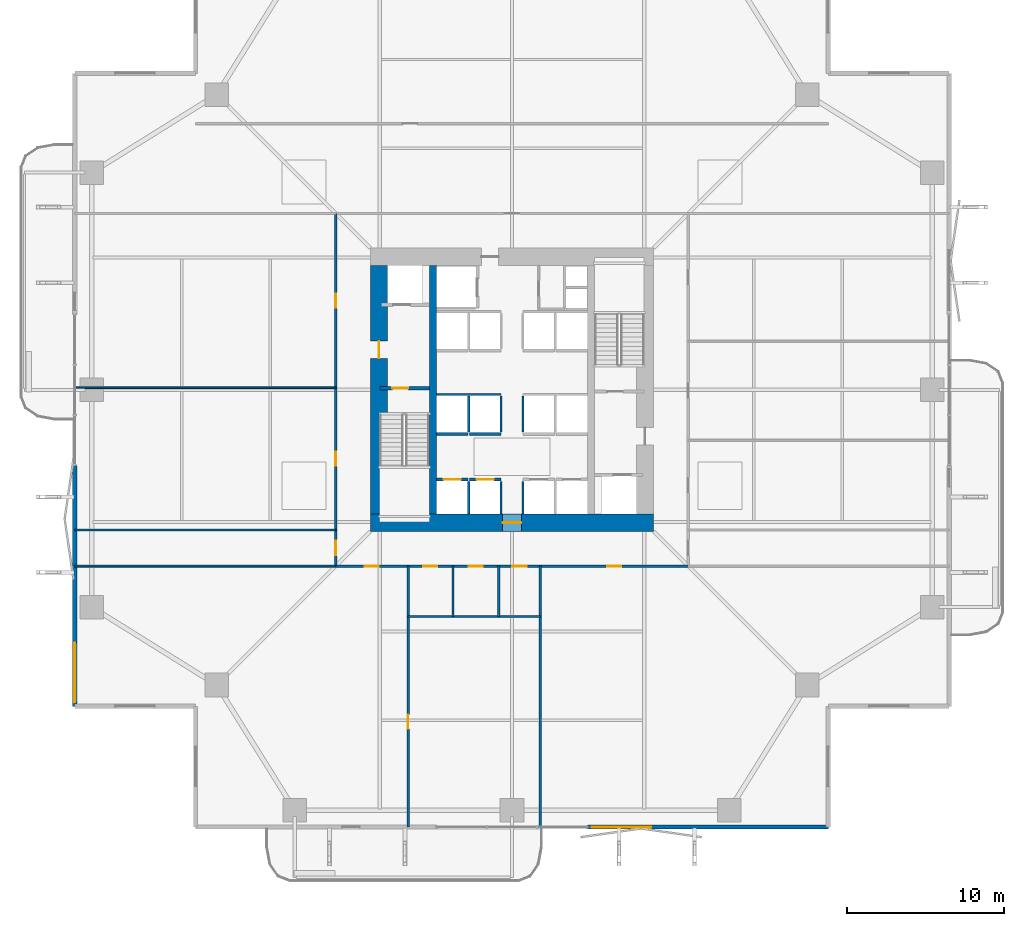
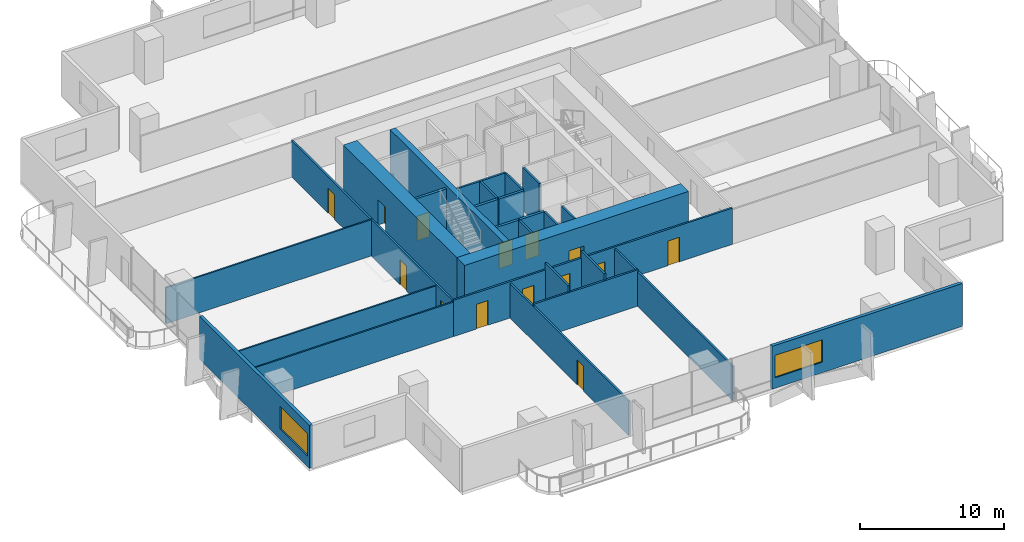
# One storey, part 17 of 23: 27 walls, 14 doors, 2 windows, 16 openings.
"""IFC4 building model written with IfcOpenShell, lengths in metres."""

from ifc_helpers import new_model, si_unit, direction, frame, frame_2d, origin, place, context, subcontext, project, spatial, rectangle, extrude, material, layer, layer_set, type_object, element, fill, save


model = new_model("IFC4")

# Units and contexts
model_context = context("Model", 3, precision=1e-05, world=origin(), true_north=direction((0.0, 1.0)))
body_context = subcontext(model_context, "Body", "Model", "MODEL_VIEW")
ifc_project = project(units=[si_unit("LENGTHUNIT", "METRE"), si_unit("AREAUNIT", "SQUARE_METRE"), si_unit("VOLUMEUNIT", "CUBIC_METRE"), si_unit("PLANEANGLEUNIT", "RADIAN"), si_unit("MASSUNIT", "GRAM", prefix="KILO")], contexts=[model_context])

# Site, building, storey
site_placement = place(None, origin())
site = spatial("IfcSite", under=ifc_project, at=site_placement, CompositionType="ELEMENT")
building_placement = place(site_placement, origin())
building = spatial("IfcBuilding", under=site, at=building_placement, Name="Belovzor Exchange Tower", CompositionType="ELEMENT")
storey_placement = place(building_placement, frame((0.0, 0.0, 65.10009765625)))
storey = spatial("IfcBuildingStorey", under=building, at=storey_placement, Name="L15", CompositionType="ELEMENT", Elevation=65.10009765625)

# Walls
ifc_material_1 = material(Name="Acoustic Plasterboard on Galvanised Studs", Category="gypsum")
ifc_layer_1 = layer(ifc_material_1, 0.1201171875)
ifc_layer_set_1 = layer_set([ifc_layer_1], Name="Acoustic Plasterboard on Galvanised Studs")
wall_type_1 = type_object("IfcWallType", Name="Acoustic Double-Stud Partition Wall 120", PredefinedType="PARTITIONING", material=ifc_layer_set_1)
for number, where, z_axis, x_axis, name in (
    (1, (1.030029296875, 17.60009765625, 0.0), (0.0, 0.0, 1.0), (1.0, 0.0, 0.0), "W-P120 Partition Wall W-L15-END-SW"),
    (2, (1.030029296875, 19.89990234375, 0.0), (0.0, 0.0, 1.0), (1.0, 0.0, 0.0), "W-P120 Partition Wall W-L15-WDIV-1"),
):
    element("IfcWall", number, at=place(storey_placement, frame(where, z_axis=z_axis, x_axis=x_axis)), inside=storey, type_object=wall_type_1, Name=name, PredefinedType="PARTITIONING", context=body_context, shape_type="SweptSolid", body=[
        extrude(rectangle(XDim=16.570068359375, YDim=0.1201171875, at=frame_2d((8.28515625, 0.0))), origin(), (0.0, 0.0, 1.0), 2.934814453125),
    ])
wall_1_placement = place(storey_placement, frame((1.030029296875, 28.929931640625, 0.0), z_axis=(0.0, 0.0, 1.0), x_axis=(1.0, 0.0, 0.0)))
element("IfcWall", 3, at=wall_1_placement, inside=storey, type_object=wall_type_1, Name="W-P120 Partition Wall W-L15-WDIV-2", PredefinedType="PARTITIONING", context=body_context, shape_type="SweptSolid", body=[
    extrude(rectangle(XDim=16.570068359375, YDim=0.1201171875, at=frame_2d((8.28515625, 0.0))), origin(), (0.0, 0.0, 1.0), 3.0849609375),
])
ifc_material_2 = material(Name="Fire-Rated Gypsum Block and Mineral Wool", Category="gypsum")
ifc_layer_2 = layer(ifc_material_2, 0.14990234375)
ifc_layer_set_2 = layer_set([ifc_layer_2], Name="Fire-Rated Gypsum Block and Mineral Wool")
wall_type_2 = type_object("IfcWallType", Name="Fire-Rated Gypsum Block Corridor Wall 150", PredefinedType="PARTITIONING", material=ifc_layer_set_2)
wall_2_placement = place(storey_placement, frame((22.199951171875, 14.39990234375, 0.0), z_axis=(0.0, 0.0, 1.0), x_axis=(1.0, 0.0, 0.0)))
element("IfcWall", 4, at=wall_2_placement, inside=storey, type_object=wall_type_2, Name="W-P150 Partition Wall W-L15-WCS", PredefinedType="PARTITIONING", context=body_context, shape_type="SweptSolid", body=[
    extrude(rectangle(XDim=8.400146484375, YDim=0.14990234375, at=frame_2d((4.2001953125, 0.0))), origin(), (0.0, 0.0, 1.0), 3.0849609375),
])

# Wall, opening, door
wall_3_placement = place(storey_placement, frame((22.199951171875, 1.030029296875, 0.0), z_axis=(0.0, 0.0, 1.0), x_axis=(0.0, 1.0, 0.0)))
wall_3 = element("IfcWall", 5, at=wall_3_placement, inside=storey, type_object=wall_type_2, Name="W-P150 Partition Wall W-L15-WCW", PredefinedType="PARTITIONING", context=body_context, shape_type="SweptSolid", body=[
    extrude(rectangle(XDim=16.570068359375, YDim=0.14990234375, at=frame_2d((8.28515625, 0.0))), origin(), (0.0, 0.0, 1.0), 2.934814453125),
])
opening_1_placement = place(wall_3_placement, frame((6.235107421875, 0.0, 0.0)))
opening_1 = element("IfcOpeningElement", 6, at=opening_1_placement, cuts=wall_3, Name="Opening D-INT-090", PredefinedType="OPENING", context=body_context, shape_type="SweptSolid", body=[
    extrude(rectangle(XDim=0.89990234375, YDim=2.10009765625, at=frame_2d((0.449951171875, 1.050048828125))), frame((0.0, 0.0849609375, 0.0), z_axis=(0.0, -1.0, 0.0), x_axis=(1.0, 0.0, 0.0)), (0.0, 0.0, 1.0), 0.169921875),
])
ifc_material_3 = material(Name="Veneered Hardwood Acoustic Leaf", Category="wood")
door_type_1 = type_object("IfcDoorType", Name="Trading Suite Acoustic Single Door 900x2100", OperationType="NOTDEFINED", PredefinedType="DOOR", material=ifc_material_3)
door_1_placement = place(opening_1_placement, origin())
door_1 = element("IfcDoor", 7, at=door_1_placement, inside=storey, type_object=door_type_1, Name="D-INT-090 Trading Suite Acoustic Single Door 900x2100", OperationType="SINGLE_SWING_LEFT", OverallHeight=2.10009765625, OverallWidth=0.89990234375, PredefinedType="DOOR", context=body_context, shape_type="SweptSolid", body=[
    extrude(rectangle(XDim=0.89990234375, YDim=2.10009765625, at=frame_2d((0.449951171875, 1.050048828125))), frame((0.0, 0.02490234375, 0.0), z_axis=(0.0, -1.0, 0.0), x_axis=(1.0, 0.0, 0.0)), (0.0, 0.0, 1.0), 0.050048828125),
])
fill(opening_1, door_1)

# Walls
wall_4_placement = place(storey_placement, frame((30.60009765625, 1.030029296875, 0.0), z_axis=(0.0, 0.0, 1.0), x_axis=(0.0, 1.0, 0.0)))
element("IfcWall", 8, at=wall_4_placement, inside=storey, type_object=wall_type_2, Name="W-P150 Partition Wall W-L15-WCE", PredefinedType="PARTITIONING", context=body_context, shape_type="SweptSolid", body=[
    extrude(rectangle(XDim=16.570068359375, YDim=0.14990234375, at=frame_2d((8.28515625, 0.0))), origin(), (0.0, 0.0, 1.0), 2.934814453125),
])
for number, where, z_axis, x_axis, name in (
    (9, (25.050048828125, 14.39990234375, 0.0), (0.0, 0.0, 1.0), (0.0, 1.0, 0.0), "W-P150 Partition Wall W-L15-WCD1"),
    (10, (27.949951171875, 14.39990234375, 0.0), (0.0, 0.0, 1.0), (0.0, 1.0, 0.0), "W-P150 Partition Wall W-L15-WCD2"),
):
    element("IfcWall", number, at=place(storey_placement, frame(where, z_axis=z_axis, x_axis=x_axis)), inside=storey, type_object=wall_type_2, Name=name, PredefinedType="PARTITIONING", context=body_context, shape_type="SweptSolid", body=[
        extrude(rectangle(XDim=3.2001953125, YDim=0.14990234375, at=frame_2d((1.60009765625, 0.0))), origin(), (0.0, 0.0, 1.0), 3.64990234375),
    ])

# Wall, openings, doors
wall_5_placement = place(storey_placement, frame((17.60009765625, 17.60009765625, 0.0), z_axis=(0.0, 0.0, 1.0), x_axis=(1.0, 0.0, 0.0)))
wall_5 = element("IfcWall", 11, at=wall_5_placement, inside=storey, type_object=wall_type_2, Name="W-P150 Partition Wall W-L15-CS", PredefinedType="PARTITIONING", context=body_context, shape_type="SweptSolid", body=[
    extrude(rectangle(XDim=22.39990234375, YDim=0.14990234375, at=frame_2d((11.199951171875, 0.0))), origin(), (0.0, 0.0, 1.0), 3.0849609375),
])
opening_2_placement = place(wall_5_placement, frame((1.85009765625, 0.0, 0.0)))
opening_2 = element("IfcOpeningElement", 12, at=opening_2_placement, cuts=wall_5, Name="Opening D-INT-090", PredefinedType="OPENING", context=body_context, shape_type="SweptSolid", body=[
    extrude(rectangle(XDim=0.89990234375, YDim=2.10009765625, at=frame_2d((0.449951171875, 1.050048828125))), frame((0.0, 0.0849609375, 0.0), z_axis=(0.0, -1.0, 0.0), x_axis=(1.0, 0.0, 0.0)), (0.0, 0.0, 1.0), 0.169921875),
])
opening_3_placement = place(wall_5_placement, frame((5.550048828125, 0.0, 0.0)))
opening_3 = element("IfcOpeningElement", 13, at=opening_3_placement, cuts=wall_5, Name="Opening D-FD60-090", PredefinedType="OPENING", context=body_context, shape_type="SweptSolid", body=[
    extrude(rectangle(XDim=0.89990234375, YDim=2.10009765625, at=frame_2d((0.449951171875, 1.050048828125))), frame((0.0, 0.0849609375, 0.0), z_axis=(0.0, -1.0, 0.0), x_axis=(1.0, 0.0, 0.0)), (0.0, 0.0, 1.0), 0.169921875),
])
opening_4_placement = place(wall_5_placement, frame((8.449951171875, 0.0, 0.0)))
opening_4 = element("IfcOpeningElement", 14, at=opening_4_placement, cuts=wall_5, Name="Opening D-FD60-090", PredefinedType="OPENING", context=body_context, shape_type="SweptSolid", body=[
    extrude(rectangle(XDim=0.89990234375, YDim=2.10009765625, at=frame_2d((0.449951171875, 1.050048828125))), frame((0.0, 0.0849609375, 0.0), z_axis=(0.0, -1.0, 0.0), x_axis=(1.0, 0.0, 0.0)), (0.0, 0.0, 1.0), 0.169921875),
])
opening_5_placement = place(wall_5_placement, frame((11.199951171875, 0.0, 0.0)))
opening_5 = element("IfcOpeningElement", 15, at=opening_5_placement, cuts=wall_5, Name="Opening D-FD60-095", PredefinedType="OPENING", context=body_context, shape_type="SweptSolid", body=[
    extrude(rectangle(XDim=0.949951171875, YDim=2.10009765625, at=frame_2d((0.47509765625, 1.050048828125))), frame((0.0, 0.0849609375, 0.0), z_axis=(0.0, -1.0, 0.0), x_axis=(1.0, 0.0, 0.0)), (0.0, 0.0, 1.0), 0.169921875),
])
opening_6_placement = place(wall_5_placement, frame((17.25, 0.0, 0.0)))
opening_6 = element("IfcOpeningElement", 16, at=opening_6_placement, cuts=wall_5, Name="Opening D-INT-090", PredefinedType="OPENING", context=body_context, shape_type="SweptSolid", body=[
    extrude(rectangle(XDim=0.89990234375, YDim=2.10009765625, at=frame_2d((0.449951171875, 1.050048828125))), frame((0.0, 0.0849609375, 0.0), z_axis=(0.0, -1.0, 0.0), x_axis=(1.0, 0.0, 0.0)), (0.0, 0.0, 1.0), 0.169921875),
])
ifc_material_4 = material(Name="Moisture-Resistant Timber Fire Leaf", Category="wood")
door_type_2 = type_object("IfcDoorType", Name="Accessible Restroom Wide Fire Door 950x2100", OperationType="NOTDEFINED", PredefinedType="DOOR", material=ifc_material_4)
door_2_placement = place(opening_5_placement, origin())
door_2 = element("IfcDoor", 17, at=door_2_placement, inside=storey, type_object=door_type_2, Name="D-FD60-095 Accessible Restroom Wide Fire Door 950x2100", OperationType="SINGLE_SWING_LEFT", OverallHeight=2.10009765625, OverallWidth=0.949951171875, PredefinedType="DOOR", context=body_context, shape_type="SweptSolid", body=[
    extrude(rectangle(XDim=0.949951171875, YDim=2.10009765625, at=frame_2d((0.47509765625, 1.050048828125))), frame((0.0, 0.02490234375, 0.0), z_axis=(0.0, -1.0, 0.0), x_axis=(1.0, 0.0, 0.0)), (0.0, 0.0, 1.0), 0.050048828125),
])
fill(opening_5, door_2)
ifc_material_5 = material(Name="Acoustic Timber Fire Leaf", Category="wood")
door_type_3 = type_object("IfcDoorType", Name="Core Service & Restroom Fire Door 900x2100", OperationType="NOTDEFINED", PredefinedType="DOOR", material=ifc_material_5)
door_3_placement = place(opening_3_placement, origin())
door_3 = element("IfcDoor", 18, at=door_3_placement, inside=storey, type_object=door_type_3, Name="D-FD60-090 Core Service & Restroom Fire Door 900x2100", OperationType="SINGLE_SWING_LEFT", OverallHeight=2.10009765625, OverallWidth=0.89990234375, PredefinedType="DOOR", context=body_context, shape_type="SweptSolid", body=[
    extrude(rectangle(XDim=0.89990234375, YDim=2.10009765625, at=frame_2d((0.449951171875, 1.050048828125))), frame((0.0, 0.02490234375, 0.0), z_axis=(0.0, -1.0, 0.0), x_axis=(1.0, 0.0, 0.0)), (0.0, 0.0, 1.0), 0.050048828125),
])
fill(opening_3, door_3)
door_4_placement = place(opening_4_placement, origin())
door_4 = element("IfcDoor", 19, at=door_4_placement, inside=storey, type_object=door_type_3, Name="D-FD60-090 Core Service & Restroom Fire Door 900x2100", OperationType="SINGLE_SWING_RIGHT", OverallHeight=2.10009765625, OverallWidth=0.89990234375, PredefinedType="DOOR", context=body_context, shape_type="SweptSolid", body=[
    extrude(rectangle(XDim=0.89990234375, YDim=2.10009765625, at=frame_2d((0.449951171875, 1.050048828125))), frame((0.0, 0.02490234375, 0.0), z_axis=(0.0, -1.0, 0.0), x_axis=(1.0, 0.0, 0.0)), (0.0, 0.0, 1.0), 0.050048828125),
])
fill(opening_4, door_4)
door_5_placement = place(opening_2_placement, origin())
door_5 = element("IfcDoor", 20, at=door_5_placement, inside=storey, type_object=door_type_1, Name="D-INT-090 Trading Suite Acoustic Single Door 900x2100", OperationType="SINGLE_SWING_LEFT", OverallHeight=2.10009765625, OverallWidth=0.89990234375, PredefinedType="DOOR", context=body_context, shape_type="SweptSolid", body=[
    extrude(rectangle(XDim=0.89990234375, YDim=2.10009765625, at=frame_2d((0.449951171875, 1.050048828125))), frame((0.0, 0.02490234375, 0.0), z_axis=(0.0, -1.0, 0.0), x_axis=(1.0, 0.0, 0.0)), (0.0, 0.0, 1.0), 0.050048828125),
])
fill(opening_2, door_5)
door_6_placement = place(opening_6_placement, origin())
door_6 = element("IfcDoor", 21, at=door_6_placement, inside=storey, type_object=door_type_1, Name="D-INT-090 Trading Suite Acoustic Single Door 900x2100", OperationType="SINGLE_SWING_RIGHT", OverallHeight=2.10009765625, OverallWidth=0.89990234375, PredefinedType="DOOR", context=body_context, shape_type="SweptSolid", body=[
    extrude(rectangle(XDim=0.89990234375, YDim=2.10009765625, at=frame_2d((0.449951171875, 1.050048828125))), frame((0.0, 0.02490234375, 0.0), z_axis=(0.0, -1.0, 0.0), x_axis=(1.0, 0.0, 0.0)), (0.0, 0.0, 1.0), 0.050048828125),
])
fill(opening_6, door_6)

wall_6_placement = place(storey_placement, frame((17.60009765625, 17.60009765625, 0.0), z_axis=(0.0, 0.0, 1.0), x_axis=(0.0, 1.0, 0.0)))
wall_6 = element("IfcWall", 22, at=wall_6_placement, inside=storey, type_object=wall_type_2, Name="W-P150 Partition Wall W-L15-CW", PredefinedType="PARTITIONING", context=body_context, shape_type="SweptSolid", body=[
    extrude(rectangle(XDim=22.39990234375, YDim=0.14990234375, at=frame_2d((11.199951171875, 0.0))), origin(), (0.0, 0.0, 1.0), 3.0849609375),
])
opening_7_placement = place(wall_6_placement, frame((0.699951171875, 0.0, 0.0)))
opening_7 = element("IfcOpeningElement", 23, at=opening_7_placement, cuts=wall_6, Name="Opening D-INT-090", PredefinedType="OPENING", context=body_context, shape_type="SweptSolid", body=[
    extrude(rectangle(XDim=0.89990234375, YDim=2.10009765625, at=frame_2d((0.449951171875, 1.050048828125))), frame((0.0, 0.0849609375, 0.0), z_axis=(0.0, -1.0, 0.0), x_axis=(1.0, 0.0, 0.0)), (0.0, 0.0, 1.0), 0.169921875),
])
opening_8_placement = place(wall_6_placement, frame((6.364990234375, 0.0, 0.0)))
opening_8 = element("IfcOpeningElement", 24, at=opening_8_placement, cuts=wall_6, Name="Opening D-INT-090", PredefinedType="OPENING", context=body_context, shape_type="SweptSolid", body=[
    extrude(rectangle(XDim=0.89990234375, YDim=2.10009765625, at=frame_2d((0.449951171875, 1.050048828125))), frame((0.0, 0.0849609375, 0.0), z_axis=(0.0, -1.0, 0.0), x_axis=(1.0, 0.0, 0.0)), (0.0, 0.0, 1.0), 0.169921875),
])
opening_9_placement = place(wall_6_placement, frame((16.4150390625, 0.0, 0.0)))
opening_9 = element("IfcOpeningElement", 25, at=opening_9_placement, cuts=wall_6, Name="Opening D-INT-090", PredefinedType="OPENING", context=body_context, shape_type="SweptSolid", body=[
    extrude(rectangle(XDim=0.89990234375, YDim=2.10009765625, at=frame_2d((0.449951171875, 1.050048828125))), frame((0.0, 0.0849609375, 0.0), z_axis=(0.0, -1.0, 0.0), x_axis=(1.0, 0.0, 0.0)), (0.0, 0.0, 1.0), 0.169921875),
])
door_7_placement = place(opening_7_placement, origin())
door_7 = element("IfcDoor", 26, at=door_7_placement, inside=storey, type_object=door_type_1, Name="D-INT-090 Trading Suite Acoustic Single Door 900x2100", OperationType="SINGLE_SWING_LEFT", OverallHeight=2.10009765625, OverallWidth=0.89990234375, PredefinedType="DOOR", context=body_context, shape_type="SweptSolid", body=[
    extrude(rectangle(XDim=0.89990234375, YDim=2.10009765625, at=frame_2d((0.449951171875, 1.050048828125))), frame((0.0, 0.02490234375, 0.0), z_axis=(0.0, -1.0, 0.0), x_axis=(1.0, 0.0, 0.0)), (0.0, 0.0, 1.0), 0.050048828125),
])
fill(opening_7, door_7)
door_8_placement = place(opening_8_placement, origin())
door_8 = element("IfcDoor", 27, at=door_8_placement, inside=storey, type_object=door_type_1, Name="D-INT-090 Trading Suite Acoustic Single Door 900x2100", OperationType="SINGLE_SWING_RIGHT", OverallHeight=2.10009765625, OverallWidth=0.89990234375, PredefinedType="DOOR", context=body_context, shape_type="SweptSolid", body=[
    extrude(rectangle(XDim=0.89990234375, YDim=2.10009765625, at=frame_2d((0.449951171875, 1.050048828125))), frame((0.0, 0.02490234375, 0.0), z_axis=(0.0, -1.0, 0.0), x_axis=(1.0, 0.0, 0.0)), (0.0, 0.0, 1.0), 0.050048828125),
])
fill(opening_8, door_8)
door_9_placement = place(opening_9_placement, origin())
door_9 = element("IfcDoor", 28, at=door_9_placement, inside=storey, type_object=door_type_1, Name="D-INT-090 Trading Suite Acoustic Single Door 900x2100", OperationType="SINGLE_SWING_LEFT", OverallHeight=2.10009765625, OverallWidth=0.89990234375, PredefinedType="DOOR", context=body_context, shape_type="SweptSolid", body=[
    extrude(rectangle(XDim=0.89990234375, YDim=2.10009765625, at=frame_2d((0.449951171875, 1.050048828125))), frame((0.0, 0.02490234375, 0.0), z_axis=(0.0, -1.0, 0.0), x_axis=(1.0, 0.0, 0.0)), (0.0, 0.0, 1.0), 0.050048828125),
])
fill(opening_9, door_9)

# Wall, opening, window
ifc_material_6 = material(Name="Precast concrete C40/50", Category="concrete")
ifc_layer_3 = layer(ifc_material_6, 0.260009765625)
ifc_layer_set_3 = layer_set([ifc_layer_3], Name="Precast concrete C40/50")
wall_type_3 = type_object("IfcWallType", Name="Precast Concrete Perimeter Loggia Frame Wall 260", PredefinedType="SOLIDWALL", material=ifc_layer_set_3)
wall_7_placement = place(storey_placement, frame((48.89990234375, 1.030029296875, 0.0), z_axis=(0.0, 0.0, 1.0), x_axis=(-1.0, 0.0, 0.0)))
wall_7 = element("IfcWall", 29, at=wall_7_placement, inside=storey, type_object=wall_type_3, Name="W-EXT260 Precast Concrete Perimeter Loggia Frame Wall 260 L15", PredefinedType="SOLIDWALL", context=body_context, shape_type="SweptSolid", body=[
    extrude(rectangle(XDim=15.2998046875, YDim=0.260009765625, at=frame_2d((7.64990234375, 0.0))), origin(), (0.0, 0.0, 1.0), 3.64990234375),
])
opening_10_placement = place(wall_7_placement, frame((11.25, 0.0, 0.89990234375)))
opening_10 = element("IfcOpeningElement", 30, at=opening_10_placement, cuts=wall_7, Name="Opening WN-RIB380", PredefinedType="OPENING", context=body_context, shape_type="SweptSolid", body=[
    extrude(rectangle(XDim=3.800048828125, YDim=1.89990234375, at=frame_2d((1.89990234375, 0.949951171875))), frame((0.0, 0.139892578125, 0.0), z_axis=(0.0, -1.0, 0.0), x_axis=(1.0, 0.0, 0.0)), (0.0, 0.0, 1.0), 0.280029296875),
])
ifc_material_7 = material(Name="Thermally Broken Aluminium and Triple Glazing", Category="aluminium")
window_type = type_object("IfcWindowType", Name="Streamline Moderne Horizontal Ribbon Window 3800x1900", PartitioningType="SINGLE_PANEL", PredefinedType="WINDOW", material=ifc_material_7)
window_1_placement = place(opening_10_placement, origin())
window_1 = element("IfcWindow", 31, at=window_1_placement, inside=storey, type_object=window_type, Name="WN-RIB380 Streamline Moderne Horizontal Ribbon Window 3800x1900", OverallHeight=1.89990234375, OverallWidth=3.800048828125, PartitioningType="SINGLE_PANEL", PredefinedType="WINDOW", context=body_context, shape_type="SweptSolid", body=[
    extrude(rectangle(XDim=3.800048828125, YDim=1.89990234375, at=frame_2d((1.89990234375, 0.949951171875))), frame((0.0, 0.030029296875, 0.0), z_axis=(0.0, -1.0, 0.0), x_axis=(1.0, 0.0, 0.0)), (0.0, 0.0, 1.0), 0.06005859375),
])
fill(opening_10, window_1)

wall_8_placement = place(storey_placement, frame((1.030029296875, 8.699951171875, 0.0), z_axis=(0.0, 0.0, 1.0), x_axis=(0.0, 1.0, 0.0)))
wall_8 = element("IfcWall", 32, at=wall_8_placement, inside=storey, type_object=wall_type_3, Name="W-EXT260 Precast Concrete Perimeter Loggia Frame Wall 260 L15", PredefinedType="SOLIDWALL", context=body_context, shape_type="SweptSolid", body=[
    extrude(rectangle(XDim=15.300048828125, YDim=0.260009765625, at=frame_2d((7.64990234375, 0.0))), origin(), (0.0, 0.0, 1.0), 3.64990234375),
])
opening_11_placement = place(wall_8_placement, frame((0.25, 0.0, 0.89990234375)))
opening_11 = element("IfcOpeningElement", 33, at=opening_11_placement, cuts=wall_8, Name="Opening WN-RIB380", PredefinedType="OPENING", context=body_context, shape_type="SweptSolid", body=[
    extrude(rectangle(XDim=3.800048828125, YDim=1.89990234375, at=frame_2d((1.89990234375, 0.949951171875))), frame((0.0, 0.139892578125, 0.0), z_axis=(0.0, -1.0, 0.0), x_axis=(1.0, 0.0, 0.0)), (0.0, 0.0, 1.0), 0.280029296875),
])
window_2_placement = place(opening_11_placement, origin())
window_2 = element("IfcWindow", 34, at=window_2_placement, inside=storey, type_object=window_type, Name="WN-RIB380 Streamline Moderne Horizontal Ribbon Window 3800x1900", OverallHeight=1.89990234375, OverallWidth=3.800048828125, PartitioningType="SINGLE_PANEL", PredefinedType="WINDOW", context=body_context, shape_type="SweptSolid", body=[
    extrude(rectangle(XDim=3.800048828125, YDim=1.89990234375, at=frame_2d((1.89990234375, 0.949951171875))), frame((0.0, 0.030029296875, 0.0), z_axis=(0.0, -1.0, 0.0), x_axis=(1.0, 0.0, 0.0)), (0.0, 0.0, 1.0), 0.06005859375),
])
fill(opening_11, window_2)

# Walls
ifc_material_8 = material(Name="Concrete C50/60", Category="concrete")
ifc_layer_4 = layer(ifc_material_8, 0.449951171875)
ifc_layer_set_4 = layer_set([ifc_layer_4], Name="Concrete C50/60")
wall_type_4 = type_object("IfcWallType", Name="Reinforced Concrete Core Internal Web Wall 450", PredefinedType="SHEAR", material=ifc_layer_set_4)
wall_9_placement = place(storey_placement, frame((23.77490234375, 20.89990234375, 0.0), z_axis=(0.0, 0.0, 1.0), x_axis=(0.0, 1.0, 0.0)))
element("IfcWall", 35, at=wall_9_placement, inside=storey, type_object=wall_type_4, Name="CW-W045 Core Internal Web Wall L15 WL", PredefinedType="SHEAR", context=body_context, shape_type="SweptSolid", body=[
    extrude(rectangle(XDim=15.800048828125, YDim=0.449951171875, at=frame_2d((7.89990234375, 0.0))), origin(), (0.0, 0.0, 1.0), 3.89990234375),
])
ifc_material_9 = material(Name="Concrete C50/60", Category="concrete")
ifc_layer_5 = layer(ifc_material_9, 0.14990234375)
ifc_layer_set_5 = layer_set([ifc_layer_5], Name="Concrete C50/60")
wall_type_5 = type_object("IfcWallType", Name="Reinforced Concrete Core Riser Shear Wall 150", PredefinedType="SHEAR", material=ifc_layer_set_5)
for number, where, z_axis, x_axis, name in (
    (36, (26.050048828125, 20.919921875, 0.0), (0.0, 0.0, 1.0), (0.0, 1.0, 0.0), "W-C150S Core Shaft Wall W-SHD-L15-PLL-1"),
    (37, (28.10009765625, 20.919921875, 0.0), (0.0, 0.0, 1.0), (0.0, 1.0, 0.0), "W-C150S Core Shaft Wall W-SHD-L15-PLL-2"),
    (38, (29.5, 20.919921875, 0.0), (0.0, 0.0, 1.0), (0.0, 1.0, 0.0), "W-C150S Core Shaft Wall W-SHD-L15-PLL-3"),
):
    element("IfcWall", number, at=place(storey_placement, frame(where, z_axis=z_axis, x_axis=x_axis)), inside=storey, type_object=wall_type_5, Name=name, PredefinedType="SHEAR", context=body_context, shape_type="SweptSolid", body=[
        extrude(rectangle(XDim=2.06005859375, YDim=0.14990234375, at=frame_2d((1.030029296875, 0.0))), origin(), (0.0, 0.0, 1.0), 3.64990234375),
    ])
wall_10_placement = place(storey_placement, frame((24.02001953125, 28.5, 0.0), z_axis=(0.0, 0.0, 1.0), x_axis=(1.0, 0.0, 0.0)))
element("IfcWall", 39, at=wall_10_placement, inside=storey, type_object=wall_type_5, Name="W-C150S Core Shaft Wall W-SHB-L15-PLM-NW", PredefinedType="SHEAR", context=body_context, shape_type="SweptSolid", body=[
    extrude(rectangle(XDim=4.080078125, YDim=0.14990234375, at=frame_2d((2.0400390625, 0.0))), origin(), (0.0, 0.0, 1.0), 3.64990234375),
])
for number, where, z_axis, x_axis, name in (
    (40, (26.050048828125, 26.1201171875, 0.0), (0.0, 0.0, 1.0), (0.0, 1.0, 0.0), "W-C150S Core Shaft Wall W-SHD-L15-PLM-1"),
    (41, (28.10009765625, 26.1201171875, 0.0), (0.0, 0.0, 1.0), (0.0, 1.0, 0.0), "W-C150S Core Shaft Wall W-SHD-L15-PLM-2"),
    (42, (29.5, 26.1201171875, 0.0), (0.0, 0.0, 1.0), (0.0, 1.0, 0.0), "W-C150S Core Shaft Wall W-SHD-L15-PLM-3"),
):
    element("IfcWall", number, at=place(storey_placement, frame(where, z_axis=z_axis, x_axis=x_axis)), inside=storey, type_object=wall_type_5, Name=name, PredefinedType="SHEAR", context=body_context, shape_type="SweptSolid", body=[
        extrude(rectangle(XDim=2.27978515625, YDim=0.14990234375, at=frame_2d((1.139892578125, 0.0))), origin(), (0.0, 0.0, 1.0), 3.64990234375),
    ])

# Wall, opening, door
ifc_material_10 = material(Name="Concrete C50/60", Category="concrete")
ifc_layer_6 = layer(ifc_material_10, 0.199951171875)
ifc_layer_set_6 = layer_set([ifc_layer_6], Name="Concrete C50/60")
wall_type_6 = type_object("IfcWallType", Name="Reinforced Concrete Core Shaft Shear Wall 200", PredefinedType="SHEAR", material=ifc_layer_set_6)
wall_11_placement = place(storey_placement, frame((20.39990234375, 28.89990234375, 0.0), z_axis=(0.0, 0.0, 1.0), x_axis=(1.0, 0.0, 0.0)))
wall_11 = element("IfcWall", 43, at=wall_11_placement, inside=storey, type_object=wall_type_6, Name="W-C200S Core Shaft Wall W-CORE-L15-FFLW1", PredefinedType="SHEAR", context=body_context, shape_type="SweptSolid", body=[
    extrude(rectangle(XDim=3.150146484375, YDim=0.199951171875, at=frame_2d((1.5751953125, 0.0))), origin(), (0.0, 0.0, 1.0), 3.64990234375),
])
opening_12_placement = place(wall_11_placement, frame((0.800048828125, 0.0, 0.0)))
opening_12 = element("IfcOpeningElement", 44, at=opening_12_placement, cuts=wall_11, Name="Opening D-FD90-100", PredefinedType="OPENING", context=body_context, shape_type="SweptSolid", body=[
    extrude(rectangle(XDim=1.0, YDim=2.10009765625, at=frame_2d((0.5, 1.050048828125))), frame((0.0, 0.10986328125, 0.0), z_axis=(0.0, -1.0, 0.0), x_axis=(1.0, 0.0, 0.0)), (0.0, 0.0, 1.0), 0.219970703125),
])
ifc_material_11 = material(Name="Fire-Rated Galvanised Steel Leaf", Category="steel")
door_type_4 = type_object("IfcDoorType", Name="Protected Stairwell Single Fire Door 1000x2100", OperationType="NOTDEFINED", PredefinedType="DOOR", material=ifc_material_11)
door_10_placement = place(opening_12_placement, origin())
door_10 = element("IfcDoor", 45, at=door_10_placement, inside=storey, type_object=door_type_4, Name="D-FD90-100 Protected Stairwell Single Fire Door 1000x2100", OperationType="SINGLE_SWING_RIGHT", OverallHeight=2.10009765625, OverallWidth=1.0, PredefinedType="DOOR", context=body_context, shape_type="SweptSolid", body=[
    extrude(rectangle(XDim=1.0, YDim=2.10009765625, at=frame_2d((0.5, 1.050048828125))), frame((0.0, 0.02490234375, 0.0), z_axis=(0.0, -1.0, 0.0), x_axis=(1.0, 0.0, 0.0)), (0.0, 0.0, 1.0), 0.050048828125),
])
fill(opening_12, door_10)

wall_12_placement = place(storey_placement, frame((24.0, 23.10009765625, 0.0), z_axis=(0.0, 0.0, 1.0), x_axis=(1.0, 0.0, 0.0)))
wall_12 = element("IfcWall", 46, at=wall_12_placement, inside=storey, type_object=wall_type_6, Name="W-C200S Core Shaft Wall W-SH-L15-PL-L1", PredefinedType="SHEAR", context=body_context, shape_type="SweptSolid", body=[
    extrude(rectangle(XDim=2.0, YDim=0.199951171875, at=frame_2d((1.0, 0.0))), origin(), (0.0, 0.0, 1.0), 3.64990234375),
])
opening_13_placement = place(wall_12_placement, frame((0.449951171875, 0.0, 0.0)))
opening_13 = element("IfcOpeningElement", 47, at=opening_13_placement, cuts=wall_12, Name="Opening LD-110", PredefinedType="OPENING", context=body_context, shape_type="SweptSolid", body=[
    extrude(rectangle(XDim=1.10009765625, YDim=2.14990234375, at=frame_2d((0.550048828125, 1.074951171875))), frame((0.0, 0.10986328125, 0.0), z_axis=(0.0, -1.0, 0.0), x_axis=(1.0, 0.0, 0.0)), (0.0, 0.0, 1.0), 0.219970703125),
])
ifc_material_12 = material(Name="Stainless Steel Grade 304", Category="steel")
door_type_5 = type_object("IfcDoorType", Name="Automated Stainless Steel Lift Landing Door 1100x2150", OperationType="SLIDING_TO_RIGHT", PredefinedType="DOOR", material=ifc_material_12)
door_11_placement = place(opening_13_placement, origin())
door_11 = element("IfcDoor", 48, at=door_11_placement, inside=storey, type_object=door_type_5, Name="LD-110 Automated Stainless Steel Lift Landing Door 1100x2150", OperationType="SLIDING_TO_RIGHT", OverallHeight=2.14990234375, OverallWidth=1.10009765625, PredefinedType="DOOR", context=body_context, shape_type="SweptSolid", body=[
    extrude(rectangle(XDim=1.10009765625, YDim=2.14990234375, at=frame_2d((0.550048828125, 1.074951171875))), frame((0.0, 0.02490234375, 0.0), z_axis=(0.0, -1.0, 0.0), x_axis=(1.0, 0.0, 0.0)), (0.0, 0.0, 1.0), 0.050048828125),
])
fill(opening_13, door_11)

wall_13_placement = place(storey_placement, frame((26.10009765625, 23.10009765625, 0.0), z_axis=(0.0, 0.0, 1.0), x_axis=(1.0, 0.0, 0.0)))
wall_13 = element("IfcWall", 49, at=wall_13_placement, inside=storey, type_object=wall_type_6, Name="W-C200S Core Shaft Wall W-SH-L15-PL-L2", PredefinedType="SHEAR", context=body_context, shape_type="SweptSolid", body=[
    extrude(rectangle(XDim=2.0, YDim=0.199951171875, at=frame_2d((1.0, 0.0))), origin(), (0.0, 0.0, 1.0), 3.64990234375),
])
opening_14_placement = place(wall_13_placement, frame((0.449951171875, 0.0, 0.0)))
opening_14 = element("IfcOpeningElement", 50, at=opening_14_placement, cuts=wall_13, Name="Opening LD-110", PredefinedType="OPENING", context=body_context, shape_type="SweptSolid", body=[
    extrude(rectangle(XDim=1.10009765625, YDim=2.14990234375, at=frame_2d((0.550048828125, 1.074951171875))), frame((0.0, 0.10986328125, 0.0), z_axis=(0.0, -1.0, 0.0), x_axis=(1.0, 0.0, 0.0)), (0.0, 0.0, 1.0), 0.219970703125),
])
door_12_placement = place(opening_14_placement, origin())
door_12 = element("IfcDoor", 51, at=door_12_placement, inside=storey, type_object=door_type_5, Name="LD-110 Automated Stainless Steel Lift Landing Door 1100x2150", OperationType="SLIDING_TO_RIGHT", OverallHeight=2.14990234375, OverallWidth=1.10009765625, PredefinedType="DOOR", context=body_context, shape_type="SweptSolid", body=[
    extrude(rectangle(XDim=1.10009765625, YDim=2.14990234375, at=frame_2d((0.550048828125, 1.074951171875))), frame((0.0, 0.02490234375, 0.0), z_axis=(0.0, -1.0, 0.0), x_axis=(1.0, 0.0, 0.0)), (0.0, 0.0, 1.0), 0.050048828125),
])
fill(opening_14, door_12)

# Walls
for number, where, z_axis, x_axis, name in (
    (52, (24.0, 26.0, 0.0), (0.0, 0.0, 1.0), (1.0, 0.0, 0.0), "W-C200S Core Shaft Wall W-SH-L15-PL-M1"),
    (53, (26.10009765625, 26.0, 0.0), (0.0, 0.0, 1.0), (1.0, 0.0, 0.0), "W-C200S Core Shaft Wall W-SH-L15-PL-M2"),
):
    element("IfcWall", number, at=place(storey_placement, frame(where, z_axis=z_axis, x_axis=x_axis)), inside=storey, type_object=wall_type_6, Name=name, PredefinedType="SHEAR", context=body_context, shape_type="SweptSolid", body=[
        extrude(rectangle(XDim=2.0, YDim=0.199951171875, at=frame_2d((1.0, 0.0))), origin(), (0.0, 0.0, 1.0), 3.64990234375),
    ])

# Wall, opening, door
ifc_material_13 = material(Name="Concrete C60/75", Category="concrete")
ifc_layer_7 = layer(ifc_material_13, 1.10009765625)
ifc_layer_set_7 = layer_set([ifc_layer_7], Name="Concrete C60/75")
wall_type_7 = type_object("IfcWallType", Name="Reinforced Concrete Core Shear Wall 1100", PredefinedType="SHEAR", material=ifc_layer_set_7)
wall_14_placement = place(storey_placement, frame((19.800048828125, 20.35009765625, 0.0), z_axis=(0.0, 0.0, 1.0), x_axis=(1.0, 0.0, 0.0)))
wall_14 = element("IfcWall", 54, at=wall_14_placement, inside=storey, type_object=wall_type_7, Name="CW-S110 Core Shear Wall L15 S", PredefinedType="SHEAR", context=body_context, shape_type="SweptSolid", body=[
    extrude(rectangle(XDim=18.0, YDim=1.10009765625, at=frame_2d((9.0, 0.0))), origin(), (0.0, 0.0, 1.0), 3.89990234375),
])
opening_15_placement = place(wall_14_placement, frame((8.39990234375, 0.0, 0.0)))
opening_15 = element("IfcOpeningElement", 55, at=opening_15_placement, cuts=wall_14, Name="Opening D-FD90-120", PredefinedType="OPENING", context=body_context, shape_type="SweptSolid", body=[
    extrude(rectangle(XDim=1.199951171875, YDim=2.199951171875, at=frame_2d((0.60009765625, 1.10009765625))), frame((0.0, 0.56005859375, 0.0), z_axis=(0.0, -1.0, 0.0), x_axis=(1.0, 0.0, 0.0)), (0.0, 0.0, 1.0), 1.1201171875),
])
ifc_material_14 = material(Name="Fire-Rated Galvanised Steel Leaf", Category="steel")
door_type_6 = type_object("IfcDoorType", Name="Heavy Plant & Foyer Fire Door 1200x2200", OperationType="NOTDEFINED", PredefinedType="DOOR", material=ifc_material_14)
door_13_placement = place(opening_15_placement, origin())
door_13 = element("IfcDoor", 56, at=door_13_placement, inside=storey, type_object=door_type_6, Name="D-FD90-120 Heavy Plant & Foyer Fire Door 1200x2200", OperationType="SINGLE_SWING_LEFT", OverallHeight=2.199951171875, OverallWidth=1.199951171875, PredefinedType="DOOR", context=body_context, shape_type="SweptSolid", body=[
    extrude(rectangle(XDim=1.199951171875, YDim=2.199951171875, at=frame_2d((0.60009765625, 1.10009765625))), frame((0.0, 0.02490234375, 0.0), z_axis=(0.0, -1.0, 0.0), x_axis=(1.0, 0.0, 0.0)), (0.0, 0.0, 1.0), 0.050048828125),
])
fill(opening_15, door_13)

wall_15_placement = place(storey_placement, frame((20.35009765625, 20.89990234375, 0.0), z_axis=(0.0, 0.0, 1.0), x_axis=(0.0, 1.0, 0.0)))
wall_15 = element("IfcWall", 57, at=wall_15_placement, inside=storey, type_object=wall_type_7, Name="CW-S110 Core Shear Wall L15 W", PredefinedType="SHEAR", context=body_context, shape_type="SweptSolid", body=[
    extrude(rectangle(XDim=15.800048828125, YDim=1.10009765625, at=frame_2d((7.89990234375, 0.0))), origin(), (0.0, 0.0, 1.0), 3.89990234375),
])
opening_16_placement = place(wall_15_placement, frame((9.89990234375, 0.0, 0.0)))
opening_16 = element("IfcOpeningElement", 58, at=opening_16_placement, cuts=wall_15, Name="Opening D-FD90-110", PredefinedType="OPENING", context=body_context, shape_type="SweptSolid", body=[
    extrude(rectangle(XDim=1.10009765625, YDim=2.14990234375, at=frame_2d((0.550048828125, 1.074951171875))), frame((0.0, 0.56005859375, 0.0), z_axis=(0.0, -1.0, 0.0), x_axis=(1.0, 0.0, 0.0)), (0.0, 0.0, 1.0), 1.1201171875),
])
ifc_material_15 = material(Name="Fire-Rated Galvanised Steel Leaf", Category="steel")
door_type_7 = type_object("IfcDoorType", Name="Protected Escape Vestibule Fire Door 1100x2150", OperationType="NOTDEFINED", PredefinedType="DOOR", material=ifc_material_15)
door_14_placement = place(opening_16_placement, origin())
door_14 = element("IfcDoor", 59, at=door_14_placement, inside=storey, type_object=door_type_7, Name="D-FD90-110 Protected Escape Vestibule Fire Door 1100x2150", OperationType="SINGLE_SWING_LEFT", OverallHeight=2.14990234375, OverallWidth=1.10009765625, PredefinedType="DOOR", context=body_context, shape_type="SweptSolid", body=[
    extrude(rectangle(XDim=1.10009765625, YDim=2.14990234375, at=frame_2d((0.550048828125, 1.074951171875))), frame((0.0, 0.02490234375, 0.0), z_axis=(0.0, -1.0, 0.0), x_axis=(1.0, 0.0, 0.0)), (0.0, 0.0, 1.0), 0.050048828125),
])
fill(opening_16, door_14)

save(model, "model.ifc")
